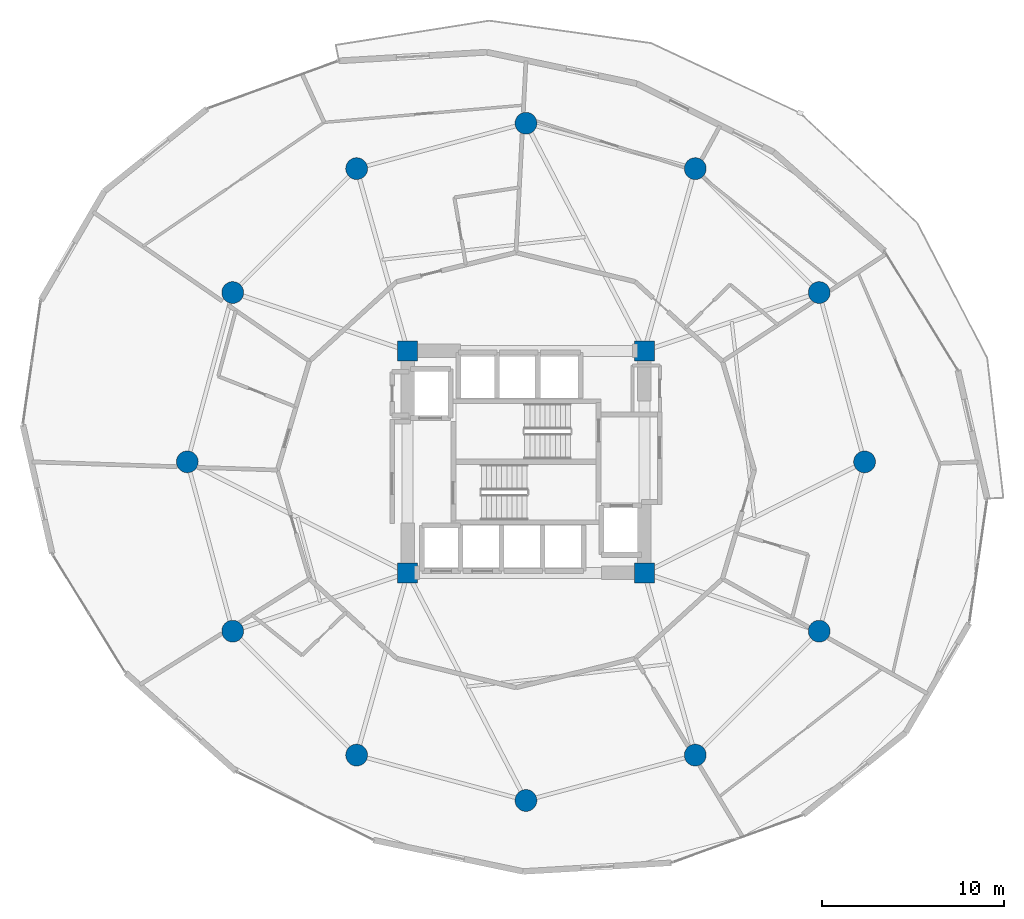
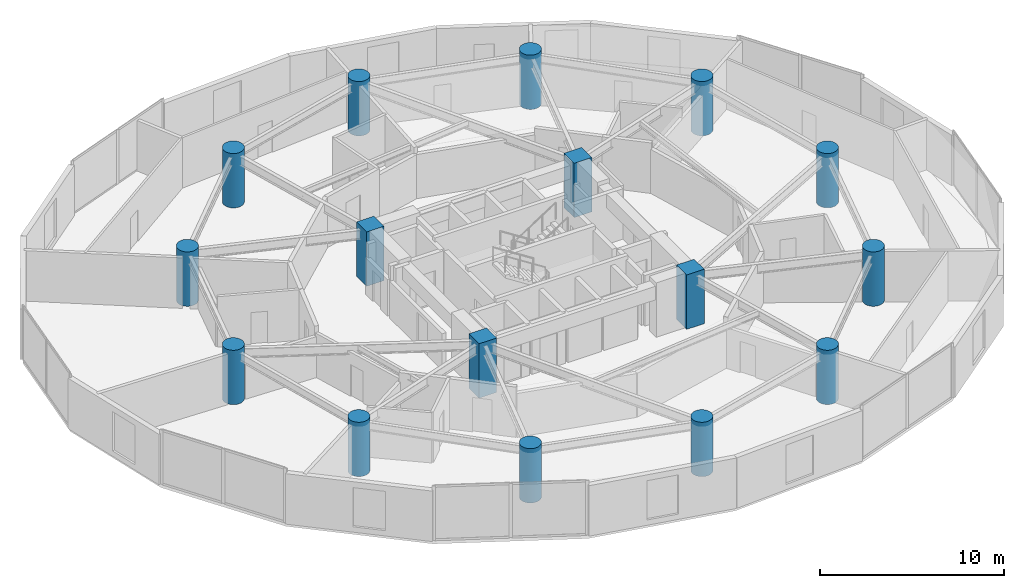
# One storey, part 1 of 26: 16 columns.
"""IFC4 building model written with IfcOpenShell, lengths in metres."""

from ifc_helpers import new_model, si_unit, direction, frame, origin, origin_2d, place, context, subcontext, project, spatial, rectangle, circle, extrude, material, material_profile, profile_set, type_object, element, save


model = new_model("IFC4")

# Units and contexts
model_context = context("Model", 3, precision=1e-05, world=origin(), true_north=direction((0.0, 1.0)))
body_context = subcontext(model_context, "Body", "Model", "MODEL_VIEW")
ifc_project = project(units=[si_unit("LENGTHUNIT", "METRE"), si_unit("AREAUNIT", "SQUARE_METRE"), si_unit("VOLUMEUNIT", "CUBIC_METRE"), si_unit("PLANEANGLEUNIT", "RADIAN"), si_unit("MASSUNIT", "GRAM", prefix="KILO")], contexts=[model_context])

# Site, building, storey
site_placement = place(None, origin())
site = spatial("IfcSite", under=ifc_project, at=site_placement, CompositionType="ELEMENT")
building_placement = place(site_placement, origin())
building = spatial("IfcBuilding", under=site, at=building_placement, Name="Solvirekh Grand Hotel", CompositionType="ELEMENT")
storey_placement = place(building_placement, frame((0.0, 0.0, 71.60009765625)))
storey = spatial("IfcBuildingStorey", under=building, at=storey_placement, Name="L17", CompositionType="ELEMENT", Elevation=71.60009765625)

# Columns
ifc_material = material(Name="Concrete C60/75", Category="concrete")
ifc_material_profile_1 = material_profile(ifc_material, rectangle(XDim=1.10009765625, YDim=1.10009765625, at=origin_2d()), Name="RC 1100X1100")
ifc_profile_set_1 = profile_set([ifc_material_profile_1], Name="Concrete C60/75")
column_type_1 = type_object("IfcColumnType", Name="Col_Core_1100", PredefinedType="COLUMN", material=ifc_profile_set_1)
for number, where, z_axis, x_axis, name in (
    (1, (-6.5, -6.10009765625, 0.0), (0.0, 0.0, 1.0), (1.0, 0.0, 0.0), "L17 core corner column CC1"),
    (2, (6.5, -6.10009765625, 0.0), (0.0, 0.0, 1.0), (1.0, 0.0, 0.0), "L17 core corner column CC2"),
    (3, (6.5, 6.10009765625, 0.0), (0.0, 0.0, 1.0), (1.0, 0.0, 0.0), "L17 core corner column CC3"),
    (4, (-6.5, 6.10009765625, 0.0), (0.0, 0.0, 1.0), (1.0, 0.0, 0.0), "L17 core corner column CC4"),
):
    element("IfcColumn", number, at=place(storey_placement, frame(where, z_axis=z_axis, x_axis=x_axis)), inside=storey, type_object=column_type_1, Name=name, PredefinedType="COLUMN", context=body_context, shape_type="SweptSolid", body=[
        extrude(rectangle(XDim=1.10009765625, YDim=1.10009765625, at=origin_2d()), origin(), (0.0, 0.0, 1.0), 3.599853515625),
    ])
ifc_material_profile_2 = material_profile(ifc_material, circle(Radius=0.60009765625, at=origin_2d()), Name="RC CIRC D1200")
ifc_profile_set_2 = profile_set([ifc_material_profile_2], Name="Concrete C60/75")
column_type_2 = type_object("IfcColumnType", Name="Col_Z1_D1200", PredefinedType="COLUMN", material=ifc_profile_set_2)
for number, where, z_axis, x_axis, name in (
    (5, (18.60009765625, 0.0, 0.0), (0.0, 0.0, 1.0), (1.0, 0.0, 0.0), "L17 perimeter column P01"),
    (6, (16.10791015625, 9.300048828125, 0.0), (0.0, 0.0, 1.0), (1.0, 0.0, 0.0), "L17 perimeter column P02"),
    (7, (9.300048828125, 16.10791015625, 0.0), (0.0, 0.0, 1.0), (1.0, 0.0, 0.0), "L17 perimeter column P03"),
    (8, (0.0, 18.60009765625, 0.0), (0.0, 0.0, 1.0), (1.0, 0.0, 0.0), "L17 perimeter column P04"),
    (9, (-9.300048828125, 16.10791015625, 0.0), (0.0, 0.0, 1.0), (1.0, 0.0, 0.0), "L17 perimeter column P05"),
    (10, (-16.10791015625, 9.300048828125, 0.0), (0.0, 0.0, 1.0), (1.0, 0.0, 0.0), "L17 perimeter column P06"),
    (11, (-18.60009765625, 0.0, 0.0), (0.0, 0.0, 1.0), (1.0, 0.0, 0.0), "L17 perimeter column P07"),
    (12, (-16.10791015625, -9.300048828125, 0.0), (0.0, 0.0, 1.0), (1.0, 0.0, 0.0), "L17 perimeter column P08"),
    (13, (-9.300048828125, -16.10791015625, 0.0), (0.0, 0.0, 1.0), (1.0, 0.0, 0.0), "L17 perimeter column P09"),
    (14, (0.0, -18.60009765625, 0.0), (0.0, 0.0, 1.0), (1.0, 0.0, 0.0), "L17 perimeter column P10"),
    (15, (9.300048828125, -16.10791015625, 0.0), (0.0, 0.0, 1.0), (1.0, 0.0, 0.0), "L17 perimeter column P11"),
    (16, (16.10791015625, -9.300048828125, 0.0), (0.0, 0.0, 1.0), (1.0, 0.0, 0.0), "L17 perimeter column P12"),
):
    element("IfcColumn", number, at=place(storey_placement, frame(where, z_axis=z_axis, x_axis=x_axis)), inside=storey, type_object=column_type_2, Name=name, PredefinedType="COLUMN", context=body_context, shape_type="SweptSolid", body=[
        extrude(circle(Radius=0.60009765625, at=origin_2d()), origin(), (0.0, 0.0, 1.0), 3.599853515625),
    ])

save(model, "model.ifc")
